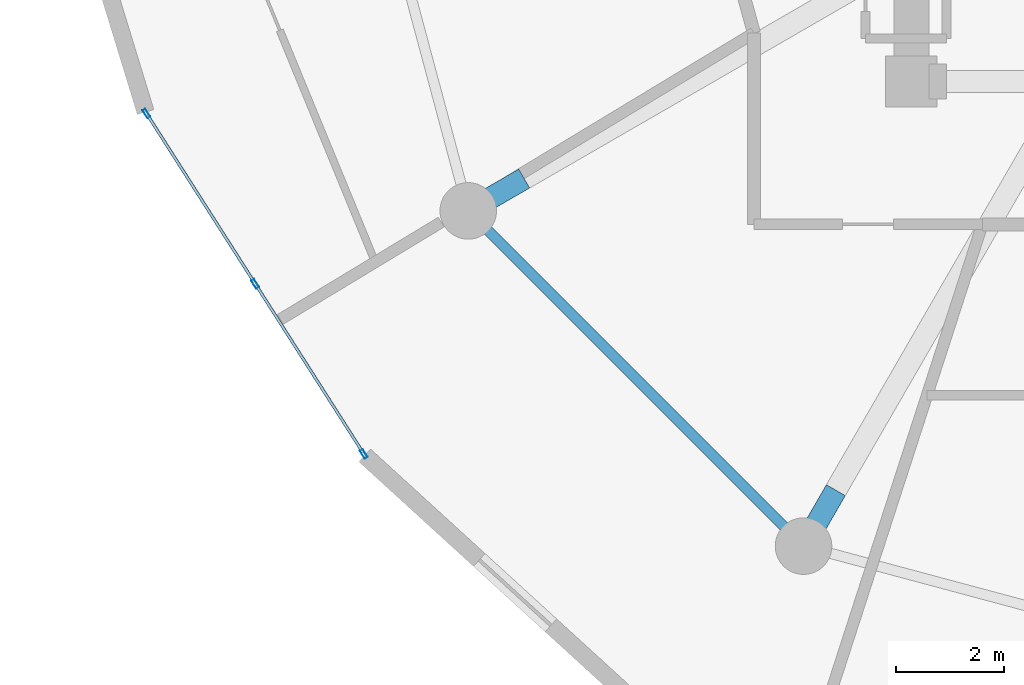
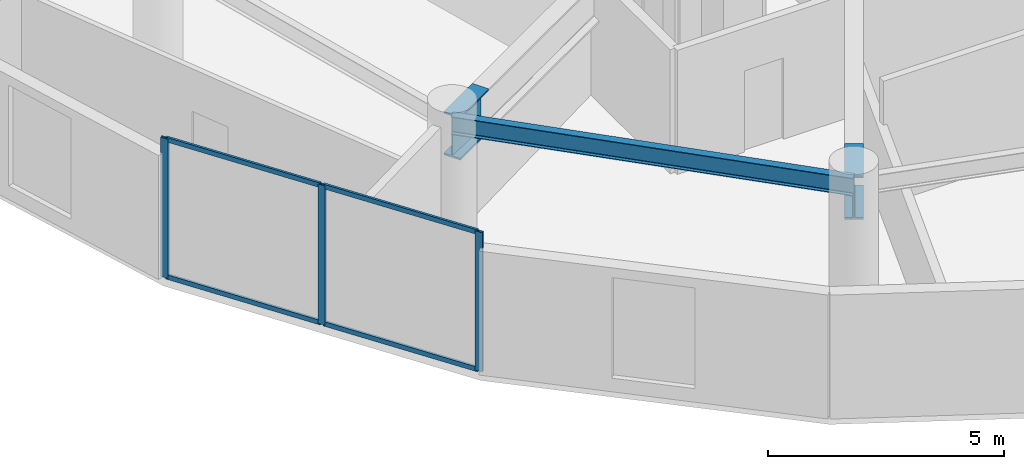
# One storey, part 2 of 22: 7 members, 3 beams, 1 element without a shape of its own.
"""IFC4 building model written with IfcOpenShell, lengths in metres."""

from ifc_helpers import new_model, si_unit, direction, frame, origin, origin_2d, place, context, subcontext, project, spatial, hollow_rectangle, i_section, extrude, source, transform, mapped, material, layer, layer_set, material_profile, profile_set, type_object, element, aggregate, save


model = new_model("IFC4")

# Units and contexts
model_context = context("Model", 3, precision=1e-05, world=origin(), true_north=direction((0.0, 1.0)))
body_context = subcontext(model_context, "Body", "Model", "MODEL_VIEW")
ifc_project = project(units=[si_unit("LENGTHUNIT", "METRE"), si_unit("AREAUNIT", "SQUARE_METRE"), si_unit("VOLUMEUNIT", "CUBIC_METRE"), si_unit("PLANEANGLEUNIT", "RADIAN"), si_unit("MASSUNIT", "GRAM", prefix="KILO")], contexts=[model_context])

# Site, building, storey
site_placement = place(None, origin())
site = spatial("IfcSite", under=ifc_project, at=site_placement, CompositionType="ELEMENT")
building_placement = place(site_placement, origin())
building = spatial("IfcBuilding", under=site, at=building_placement, Name="Solvirekh Grand Hotel", CompositionType="ELEMENT")
storey_placement = place(building_placement, frame((0.0, 0.0, 160.199951171875)))
storey = spatial("IfcBuildingStorey", under=building, at=storey_placement, Name="L41", CompositionType="ELEMENT", Elevation=160.199951171875)

# Beams
ifc_material_1 = material(Name="Steel S355", Category="steel")
ifc_material_profile_1 = material_profile(ifc_material_1, i_section(OverallWidth=0.18994140625, OverallDepth=0.45703125, WebThickness=0.009033203125, FlangeThickness=0.013916015625, FilletRadius=0.012939453125, at=origin_2d()), Name="W460X74")
ifc_profile_set_1 = profile_set([ifc_material_profile_1], Name="Steel S355")
beam_type_1 = type_object("IfcBeamType", Name="Spandrel_Ring_W460", PredefinedType="SPANDREL", material=ifc_profile_set_1)
beam_placement = place(storey_placement, frame((-14.721923828125, -8.5, 2.97216796875), z_axis=(0.707106781187, -0.707106781187, 0.0), x_axis=(0.707106781187, 0.707106781187, 0.0)))
element("IfcBeam", 1, at=beam_placement, inside=storey, type_object=beam_type_1, Name="L41 perimeter spandrel beam 8", PredefinedType="SPANDREL", context=body_context, shape_type="SweptSolid", body=[
    extrude(i_section(OverallWidth=0.18994140625, OverallDepth=0.45703125, WebThickness=0.009033203125, FlangeThickness=0.013916015625, FilletRadius=0.012939453125, at=origin_2d()), origin(), (0.0, 0.0, 1.0), 8.799072265625),
])
ifc_material_2 = material(Name="Steel S460", Category="steel")
ifc_material_profile_2 = material_profile(ifc_material_2, i_section(OverallWidth=0.405029296875, OverallDepth=1.117919921875, WebThickness=0.02587890625, FlangeThickness=0.048095703125, FilletRadius=0.02392578125, at=origin_2d()), Name="W1100X499")
ifc_profile_set_2 = profile_set([ifc_material_profile_2], Name="Steel S460")
beam_type_2 = type_object("IfcBeamType", Name="TransferGirder_W1100", PredefinedType="USERDEFINED", material=ifc_profile_set_2)
for number, where, z_axis, x_axis, name in (
    (2, (-13.68310546875, -7.89990234375, 2.64111328125), (-0.865904249203, -0.500209787201, 0.0), (0.500209787201, -0.865904249203, 0.0), "L41 outer radial transfer girder 8B"),
    (3, (-7.89990234375, -13.68310546875, 2.64111328125), (-0.500209787201, -0.865904249203, 0.0), (0.865904249203, -0.500209787201, 0.0), "L41 outer radial transfer girder 9B"),
):
    element("IfcBeam", number, at=place(storey_placement, frame(where, z_axis=z_axis, x_axis=x_axis)), inside=storey, type_object=beam_type_2, Name=name, ObjectType="TRANSFER GIRDER", PredefinedType="USERDEFINED", context=body_context, shape_type="SweptSolid", body=[
        extrude(i_section(OverallWidth=0.405029296875, OverallDepth=1.117919921875, WebThickness=0.02587890625, FlangeThickness=0.048095703125, FilletRadius=0.02392578125, at=origin_2d()), origin(), (0.0, 0.0, 1.0), 1.19970703125),
    ])

# Curtain wall, members
ifc_material_3 = material(Name="Anodized Bronze Aluminium 6063-T6", Category="aluminium")
ifc_layer = layer(ifc_material_3, 0.175048828125)
ifc_layer_set = layer_set([ifc_layer], Name="Anodized Bronze Aluminium 6063-T6")
curtain_wall_type = type_object("IfcCurtainWallType", Name="CW_Sys3_MidZoneFlushBronzeCW", PredefinedType="NOTDEFINED", material=ifc_layer_set)
curtain_wall_placement = place(storey_placement, origin())
curtain_wall = element("IfcCurtainWall", 4, at=curtain_wall_placement, inside=storey, type_object=curtain_wall_type, Name="L41 unitised bronze-glass curtain wall CW-L41-C15", PredefinedType="NOTDEFINED")
ifc_material_profile_3 = material_profile(ifc_material_3, hollow_rectangle(XDim=0.06494140625, YDim=0.175048828125, WallThickness=0.0048828125, at=origin_2d()), Name="ALU RHS 175X65X5")
ifc_profile_set_3 = profile_set([ifc_material_profile_3], Name="Anodized Bronze Aluminium 6063-T6")
member_type_1 = type_object("IfcMemberType", Name="CWMullion_Sys3", PredefinedType="MULLION", material=ifc_profile_set_3)
shared_shape_1 = source(origin(), body_context, "Body", "SweptSolid", [
    extrude(hollow_rectangle(XDim=0.06494140625, YDim=0.175048828125, WallThickness=0.0048828125, at=origin_2d()), origin(), (0.0, 0.0, 1.0), 3.60009765625),
])
member_1_placement = place(storey_placement, frame((-20.693603515625, -6.693359375, 0.0), z_axis=(0.0, 0.0, 1.0), x_axis=(0.842936250751, 0.53801345445, 0.0)))
member_1 = element("IfcMember", 5, at=member_1_placement, type_object=member_type_1, Name="U03 mullion 1", PredefinedType="MULLION", context=body_context, shape_type="MappedRepresentation", body=[
    mapped(shared_shape_1, transform((0.0, 0.0, 0.0), x_axis=(1.0, 0.0, 0.0), y_axis=(0.0, 1.0, 0.0), z_axis=(0.0, 0.0, 1.0), scale=1.0)),
])
member_2_placement = place(storey_placement, frame((-18.677490234375, -9.85205078125, 0.0), z_axis=(0.0, 0.0, 1.0), x_axis=(0.842936250751, 0.53801345445, 0.0)))
member_2 = element("IfcMember", 6, at=member_2_placement, type_object=member_type_1, Name="U03 mullion 2", PredefinedType="MULLION", context=body_context, shape_type="MappedRepresentation", body=[
    mapped(shared_shape_1, transform((0.0, 0.0, 0.0), x_axis=(1.0, 0.0, 0.0), y_axis=(0.0, 1.0, 0.0), z_axis=(0.0, 0.0, 1.0), scale=1.0)),
])
member_3_placement = place(storey_placement, frame((-16.661376953125, -13.010498046875, 0.0), z_axis=(0.0, 0.0, 1.0), x_axis=(0.842936250751, 0.53801345445, 0.0)))
member_3 = element("IfcMember", 7, at=member_3_placement, type_object=member_type_1, Name="U03 mullion 3", PredefinedType="MULLION", context=body_context, shape_type="MappedRepresentation", body=[
    mapped(shared_shape_1, transform((0.0, 0.0, 0.0), x_axis=(1.0, 0.0, 0.0), y_axis=(0.0, 1.0, 0.0), z_axis=(0.0, 0.0, 1.0), scale=1.0)),
])
ifc_material_profile_4 = material_profile(ifc_material_3, hollow_rectangle(XDim=0.054931640625, YDim=0.1201171875, WallThickness=0.00390625, at=origin_2d()), Name="ALU RHS 120X55X4")
ifc_profile_set_4 = profile_set([ifc_material_profile_4], Name="Anodized Bronze Aluminium 6063-T6")
member_type_2 = type_object("IfcMemberType", Name="CWTransom_Sys3", PredefinedType="USERDEFINED", material=ifc_profile_set_4)
shared_shape_2 = source(origin(), body_context, "Body", "SweptSolid", [
    extrude(hollow_rectangle(XDim=0.054931640625, YDim=0.1201171875, WallThickness=0.00390625, at=origin_2d()), origin(), (0.0, 0.0, 1.0), 3.68212890625),
])
member_4_placement = place(storey_placement, frame((-18.659912109375, -9.87939453125, 0.027587890625), z_axis=(0.538003376761, -0.842942682864, 0.0), x_axis=(0.842942682864, 0.538003376761, 0.0)))
member_4 = element("IfcMember", 8, at=member_4_placement, type_object=member_type_2, Name="U03 transom 2.1", ObjectType="TRANSOM", PredefinedType="USERDEFINED", context=body_context, shape_type="MappedRepresentation", body=[
    mapped(shared_shape_2, transform((0.0, 0.0, 0.0), x_axis=(1.0, 0.0, 0.0), y_axis=(0.0, 1.0, 0.0), z_axis=(0.0, 0.0, 1.0), scale=1.0)),
])
member_5_placement = place(storey_placement, frame((-18.659912109375, -9.87939453125, 3.572509765625), z_axis=(0.538003376761, -0.842942682864, 0.0), x_axis=(0.842942682864, 0.538003376761, 0.0)))
member_5 = element("IfcMember", 9, at=member_5_placement, type_object=member_type_2, Name="U03 transom 2.2", ObjectType="TRANSOM", PredefinedType="USERDEFINED", context=body_context, shape_type="MappedRepresentation", body=[
    mapped(shared_shape_2, transform((0.0, 0.0, 0.0), x_axis=(1.0, 0.0, 0.0), y_axis=(0.0, 1.0, 0.0), z_axis=(0.0, 0.0, 1.0), scale=1.0)),
])
shared_shape_3 = source(origin(), body_context, "Body", "SweptSolid", [
    extrude(hollow_rectangle(XDim=0.054931640625, YDim=0.1201171875, WallThickness=0.00390625, at=origin_2d()), origin(), (0.0, 0.0, 1.0), 3.682373046875),
])
member_6_placement = place(storey_placement, frame((-20.676025390625, -6.720703125, 0.027587890625), z_axis=(0.537973308126, -0.842961873245, 0.0), x_axis=(0.842961873245, 0.537973308126, 0.0)))
member_6 = element("IfcMember", 10, at=member_6_placement, type_object=member_type_2, Name="U03 transom 1.1", ObjectType="TRANSOM", PredefinedType="USERDEFINED", context=body_context, shape_type="MappedRepresentation", body=[
    mapped(shared_shape_3, transform((0.0, 0.0, 0.0), x_axis=(1.0, 0.0, 0.0), y_axis=(0.0, 1.0, 0.0), z_axis=(0.0, 0.0, 1.0), scale=1.0)),
])
member_7_placement = place(storey_placement, frame((-20.676025390625, -6.720703125, 3.572509765625), z_axis=(0.537973308126, -0.842961873245, 0.0), x_axis=(0.842961873245, 0.537973308126, 0.0)))
member_7 = element("IfcMember", 11, at=member_7_placement, type_object=member_type_2, Name="U03 transom 1.2", ObjectType="TRANSOM", PredefinedType="USERDEFINED", context=body_context, shape_type="MappedRepresentation", body=[
    mapped(shared_shape_3, transform((0.0, 0.0, 0.0), x_axis=(1.0, 0.0, 0.0), y_axis=(0.0, 1.0, 0.0), z_axis=(0.0, 0.0, 1.0), scale=1.0)),
])
aggregate(curtain_wall, [member_1, member_2, member_3, member_6, member_7, member_4, member_5])

save(model, "model.ifc")
